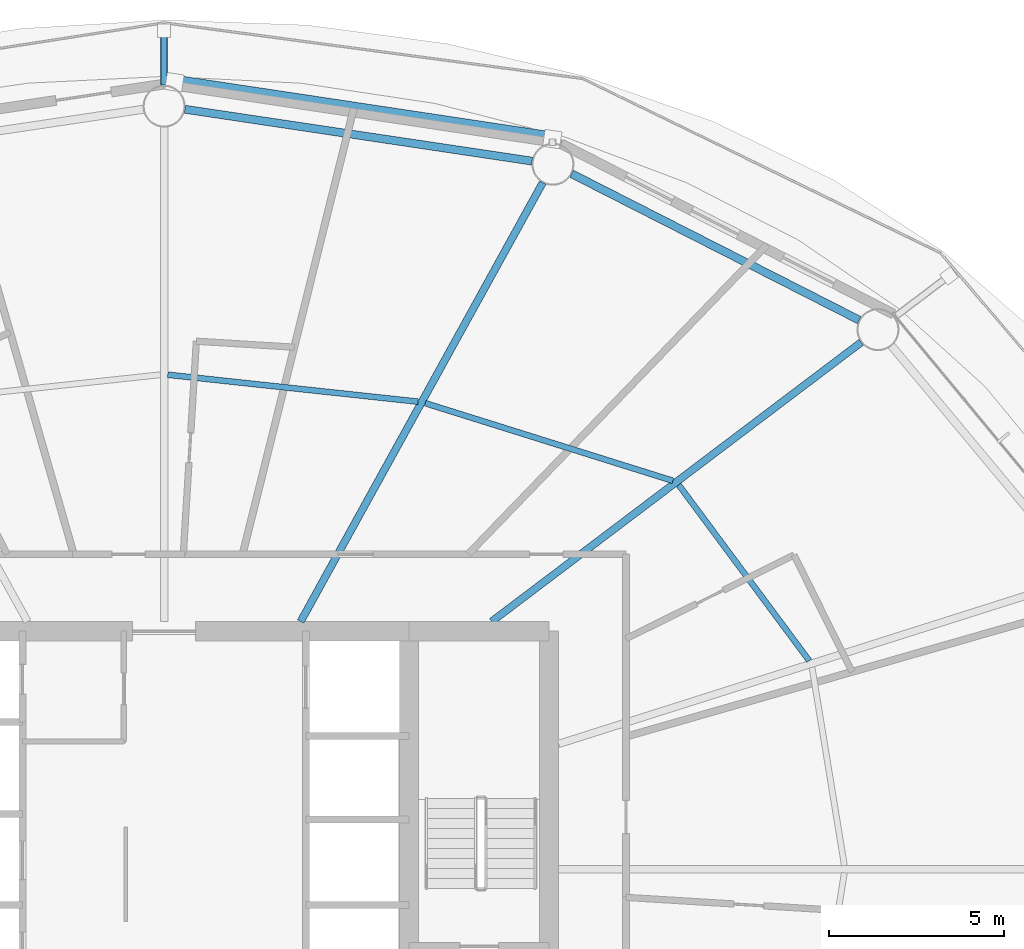
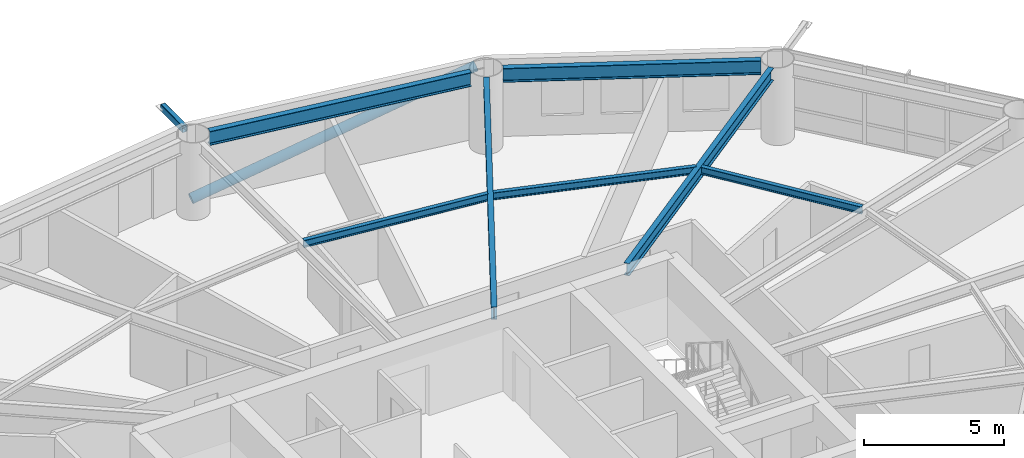
# One storey, part 11 of 24: 7 beams, 2 members.
"""IFC4 building model written with IfcOpenShell, lengths in metres."""

from ifc_helpers import new_model, si_unit, direction, frame, origin, origin_2d, place, context, subcontext, project, spatial, hollow_rectangle, hollow_circle, i_section, extrude, material, material_profile, profile_set, type_object, element, save


model = new_model("IFC4")

# Units and contexts
model_context = context("Model", 3, precision=1e-05, world=origin(), true_north=direction((0.0, 1.0)))
body_context = subcontext(model_context, "Body", "Model", "MODEL_VIEW")
ifc_project = project(units=[si_unit("LENGTHUNIT", "METRE"), si_unit("AREAUNIT", "SQUARE_METRE"), si_unit("VOLUMEUNIT", "CUBIC_METRE"), si_unit("PLANEANGLEUNIT", "RADIAN"), si_unit("MASSUNIT", "GRAM", prefix="KILO")], contexts=[model_context])

# Site, building, storey
site_placement = place(None, origin())
site = spatial("IfcSite", under=ifc_project, at=site_placement, CompositionType="ELEMENT")
building_placement = place(site_placement, origin())
building = spatial("IfcBuilding", under=site, at=building_placement, Name="Sarneth Arch Tower", CompositionType="ELEMENT")
storey_placement = place(building_placement, frame((0.0, 0.0, 94.800048828125)))
storey = spatial("IfcBuildingStorey", under=building, at=storey_placement, Name="L23", CompositionType="ELEMENT", Elevation=94.800048828125)

# Beams
ifc_material_1 = material(Name="Steel S355", Category="steel")
ifc_material_profile_1 = material_profile(ifc_material_1, i_section(OverallWidth=0.1669921875, OverallDepth=0.31689453125, WebThickness=0.007568359375, FlangeThickness=0.01318359375, FilletRadius=0.012939453125, at=origin_2d()), Name="W310x52")
ifc_profile_set_1 = profile_set([ifc_material_profile_1], Name="Steel S355")
beam_type_1 = type_object("IfcBeamType", Name="BM-JOIST-310B", PredefinedType="JOIST", material=ifc_profile_set_1)
beam_1_placement = place(storey_placement, frame((66.434326171875, 47.9541015625, 3.221435546875), z_axis=(-0.596098474255, 0.802911333206, 0.0), x_axis=(-0.802911333206, -0.596098474255, 0.0)))
element("IfcBeam", 1, at=beam_1_placement, inside=storey, type_object=beam_type_1, Name="L23 Secondary floor joist 02", PredefinedType="JOIST", context=body_context, shape_type="SweptSolid", body=[
    extrude(i_section(OverallWidth=0.1669921875, OverallDepth=0.31689453125, WebThickness=0.007568359375, FlangeThickness=0.01318359375, FilletRadius=0.012939453125, at=origin_2d()), origin(), (0.0, 0.0, 1.0), 6.259033203125),
])
beam_2_placement = place(storey_placement, frame((62.539794921875, 53.095703125, 3.221435546875), z_axis=(-0.954245982384, 0.299022750146, 0.0), x_axis=(-0.299022750146, -0.954245982384, 0.0)))
element("IfcBeam", 2, at=beam_2_placement, inside=storey, type_object=beam_type_1, Name="L23 Secondary floor joist 03", PredefinedType="JOIST", context=body_context, shape_type="SweptSolid", body=[
    extrude(i_section(OverallWidth=0.1669921875, OverallDepth=0.31689453125, WebThickness=0.007568359375, FlangeThickness=0.01318359375, FilletRadius=0.012939453125, at=origin_2d()), origin(), (0.0, 0.0, 1.0), 7.416748046875),
])
beam_3_placement = place(storey_placement, frame((55.2568359375, 55.3564453125, 3.221435546875), z_axis=(-0.994257420028, 0.107014871487, 0.0), x_axis=(-0.107014871487, -0.994257420028, 0.0)))
element("IfcBeam", 3, at=beam_3_placement, inside=storey, type_object=beam_type_1, Name="L23 Secondary floor joist 04", PredefinedType="JOIST", context=body_context, shape_type="SweptSolid", body=[
    extrude(i_section(OverallWidth=0.1669921875, OverallDepth=0.31689453125, WebThickness=0.007568359375, FlangeThickness=0.01318359375, FilletRadius=0.012939453125, at=origin_2d()), origin(), (0.0, 0.0, 1.0), 7.193115234375),
])
ifc_material_2 = material(Name="Steel S355", Category="steel")
ifc_material_profile_2 = material_profile(ifc_material_2, i_section(OverallWidth=0.2109375, OverallDepth=0.5390625, WebThickness=0.01171875, FlangeThickness=0.018798828125, FilletRadius=0.01806640625, at=origin_2d()), Name="W530x109")
ifc_profile_set_2 = profile_set([ifc_material_profile_2], Name="Steel S355")
beam_type_2 = type_object("IfcBeamType", Name="BM-RAD-530B", PredefinedType="BEAM", material=ifc_profile_set_2)
beam_4_placement = place(storey_placement, frame((57.36181640625, 49.074951171875, 3.1103515625), z_axis=(0.797802835234, 0.602918432371, 0.0), x_axis=(-0.602918432371, 0.797802835234, 0.0)))
element("IfcBeam", 4, at=beam_4_placement, inside=storey, type_object=beam_type_2, Name="L23 Radial floor girder 03", PredefinedType="BEAM", context=body_context, shape_type="SweptSolid", body=[
    extrude(i_section(OverallWidth=0.2109375, OverallDepth=0.5390625, WebThickness=0.01171875, FlangeThickness=0.018798828125, FilletRadius=0.01806640625, at=origin_2d()), origin(), (0.0, 0.0, 1.0), 13.232666015625),
])
beam_5_placement = place(storey_placement, frame((51.90283203125, 49.074951171875, 3.1103515625), z_axis=(0.483021011336, 0.875608761153, 0.0), x_axis=(-0.875608761153, 0.483021011336, 0.0)))
element("IfcBeam", 5, at=beam_5_placement, inside=storey, type_object=beam_type_2, Name="L23 Radial floor girder 04", PredefinedType="BEAM", context=body_context, shape_type="SweptSolid", body=[
    extrude(i_section(OverallWidth=0.2109375, OverallDepth=0.5390625, WebThickness=0.01171875, FlangeThickness=0.018798828125, FilletRadius=0.01806640625, at=origin_2d()), origin(), (0.0, 0.0, 1.0), 14.32177734375),
])
ifc_material_3 = material(Name="Steel S355", Category="steel")
ifc_material_profile_3 = material_profile(ifc_material_3, i_section(OverallWidth=0.22900390625, OverallDepth=0.612060546875, WebThickness=0.011962890625, FlangeThickness=0.01953125, FilletRadius=0.01904296875, at=origin_2d()), Name="W610x125")
ifc_profile_set_3 = profile_set([ifc_material_profile_3], Name="Steel S355")
beam_type_3 = type_object("IfcBeamType", Name="BM-SPAN-610C", PredefinedType="SPANDREL", material=ifc_profile_set_3)
beam_6_placement = place(storey_placement, frame((67.86279296875, 57.68701171875, 3.073974609375), z_axis=(-0.891259443414, 0.453493775619, 0.0), x_axis=(-0.453493775619, -0.891259443414, 0.0)))
element("IfcBeam", 6, at=beam_6_placement, inside=storey, type_object=beam_type_3, Name="L23 Perimeter spandrel beam 03", PredefinedType="SPANDREL", context=body_context, shape_type="SweptSolid", body=[
    extrude(i_section(OverallWidth=0.22900390625, OverallDepth=0.612060546875, WebThickness=0.011962890625, FlangeThickness=0.01953125, FilletRadius=0.01904296875, at=origin_2d()), origin(), (0.0, 0.0, 1.0), 9.220458984375),
])
beam_7_placement = place(storey_placement, frame((58.516845703125, 62.229248046875, 3.073974609375), z_axis=(-0.989028613319, 0.147724073992, 0.0), x_axis=(-0.147724073992, -0.989028613319, 0.0)))
element("IfcBeam", 7, at=beam_7_placement, inside=storey, type_object=beam_type_3, Name="L23 Perimeter spandrel beam 04", PredefinedType="SPANDREL", context=body_context, shape_type="SweptSolid", body=[
    extrude(i_section(OverallWidth=0.22900390625, OverallDepth=0.612060546875, WebThickness=0.011962890625, FlangeThickness=0.01953125, FilletRadius=0.01904296875, at=origin_2d()), origin(), (0.0, 0.0, 1.0), 10.033447265625),
])

# Members
ifc_material_4 = material(Name="Steel S355", Category="steel")
ifc_material_profile_4 = material_profile(ifc_material_4, hollow_rectangle(XDim=0.199951171875, YDim=0.300048828125, WallThickness=0.012451171875, InnerFilletRadius=0.018798828125, OuterFilletRadius=0.03125, at=origin_2d()), Name="RHS300x200x12.5")
ifc_profile_set_4 = profile_set([ifc_material_profile_4], Name="Steel S355")
member_type_1 = type_object("IfcMemberType", Name="MEM-CANT-STRUT", PredefinedType="STRUT", material=ifc_profile_set_4)
member_1_placement = place(storey_placement, frame((48.0, 64.39990234375, 3.219970703125), z_axis=(0.0, 1.0, 0.0), x_axis=(-1.0, 0.0, 0.0)))
element("IfcMember", 8, at=member_1_placement, inside=storey, type_object=member_type_1, Name="L23 Balcony cantilever bracket 05", PredefinedType="STRUT", context=body_context, shape_type="SweptSolid", body=[
    extrude(hollow_rectangle(XDim=0.199951171875, YDim=0.300048828125, WallThickness=0.012451171875, InnerFilletRadius=0.018798828125, OuterFilletRadius=0.03125, at=origin_2d()), origin(), (0.0, 0.0, 1.0), 1.558349609375),
])
ifc_material_5 = material(Name="Steel S355", Category="steel")
ifc_material_profile_5 = material_profile(ifc_material_5, hollow_circle(Radius=0.202880859375, WallThickness=0.01611328125, at=origin_2d()), Name="CHS406x16")
ifc_profile_set_5 = profile_set([ifc_material_profile_5], Name="Steel S355")
member_type_2 = type_object("IfcMemberType", Name="MEM-DIAG-BR2", PredefinedType="BRACE", material=ifc_profile_set_5)
member_2_placement = place(storey_placement, frame((48.296630859375, 64.4853515625, 0.02001953125), z_axis=(0.95367294778, -0.14360842494, 0.264356821282), x_axis=(0.148905755657, 0.988851392239, 0.0)))
element("IfcMember", 9, at=member_2_placement, inside=storey, type_object=member_type_2, Name="L23 Perimeter frame diagonal 04", PredefinedType="BRACE", context=body_context, shape_type="SweptSolid", body=[
    extrude(hollow_circle(Radius=0.202880859375, WallThickness=0.01611328125, at=origin_2d()), origin(), (0.0, 0.0, 1.0), 11.320556640625),
])

save(model, "model.ifc")
